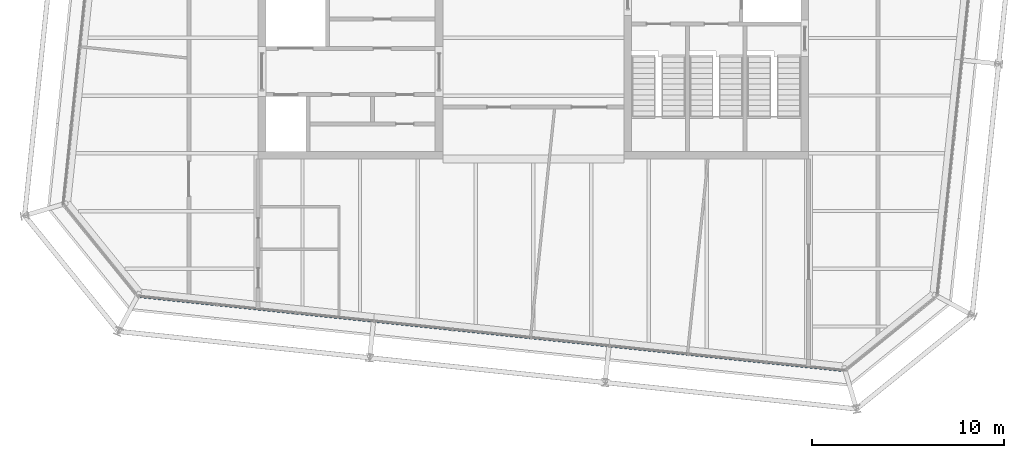
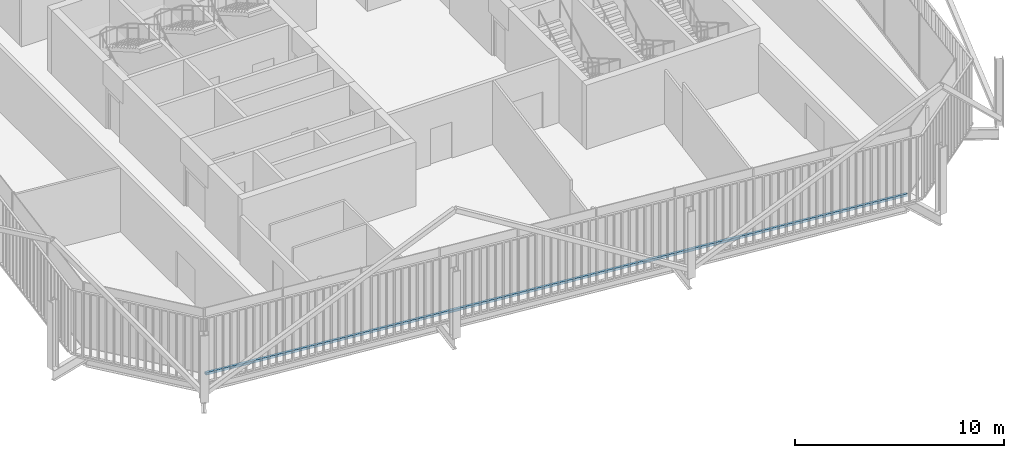
# One storey, part 4 of 21: 1 member, 1 element without a shape of its own.
"""IFC4 building model written with IfcOpenShell, lengths in metres."""

from ifc_helpers import new_model, si_unit, direction, frame, origin, origin_2d, place, context, subcontext, project, spatial, rectangle, extrude, material, layer, layer_set, material_profile, profile_set, type_object, element, aggregate, save


model = new_model("IFC4")

# Units and contexts
model_context = context("Model", 3, precision=1e-05, world=origin(), true_north=direction((0.0, 1.0)))
body_context = subcontext(model_context, "Body", "Model", "MODEL_VIEW")
ifc_project = project(units=[si_unit("LENGTHUNIT", "METRE"), si_unit("AREAUNIT", "SQUARE_METRE"), si_unit("VOLUMEUNIT", "CUBIC_METRE"), si_unit("PLANEANGLEUNIT", "RADIAN"), si_unit("MASSUNIT", "GRAM", prefix="KILO")], contexts=[model_context])

# Site, building, storey
site_placement = place(None, origin())
site = spatial("IfcSite", under=ifc_project, at=site_placement, CompositionType="ELEMENT")
building_placement = place(site_placement, origin())
building = spatial("IfcBuilding", under=site, at=building_placement, Name="Millrace Tower", CompositionType="ELEMENT")
storey_placement = place(building_placement, frame((0.0, 0.0, 318.699951171875)))
storey = spatial("IfcBuildingStorey", under=building, at=storey_placement, Name="L73", CompositionType="ELEMENT", Elevation=318.699951171875)

# Curtain wall, member
ifc_material_1 = material(Name="Aluminium and glass", Category="aluminium")
ifc_layer = layer(ifc_material_1, 0.14990234375)
ifc_layer_set = layer_set([ifc_layer], Name="Aluminium and glass")
curtain_wall_type = type_object("IfcCurtainWallType", Name="CW-1 office vision curtain wall", PredefinedType="NOTDEFINED", material=ifc_layer_set)
curtain_wall_placement = place(storey_placement, origin())
curtain_wall = element("IfcCurtainWall", 1, at=curtain_wall_placement, inside=storey, type_object=curtain_wall_type, Name="Curtain wall E-F02 L73", PredefinedType="NOTDEFINED")
ifc_material_2 = material(Name="Aluminium", Category="aluminium")
ifc_material_profile = material_profile(ifc_material_2, rectangle(XDim=0.14990234375, YDim=0.139892578125, at=origin_2d()))
ifc_profile_set = profile_set([ifc_material_profile], Name="Aluminium")
member_type = type_object("IfcMemberType", Name="CW-1 office vision curtain wall transom", PredefinedType="USERDEFINED", material=ifc_profile_set)
member_placement = place(storey_placement, frame((-20.435302734375, -16.431884765625, 0.070068359375), z_axis=(0.994521952886, -0.104527916025, 0.0), x_axis=(0.104527916025, 0.994521952886, 0.0)))
member = element("IfcMember", 2, at=member_placement, type_object=member_type, Name="CW1 transom E-F02.1", ObjectType="TRANSOM", PredefinedType="USERDEFINED", context=body_context, shape_type="SweptSolid", body=[
    extrude(rectangle(XDim=0.14990234375, YDim=0.139892578125, at=origin_2d()), origin(), (0.0, 0.0, 1.0), 36.699951171875),
])
aggregate(curtain_wall, [member])

save(model, "model.ifc")
